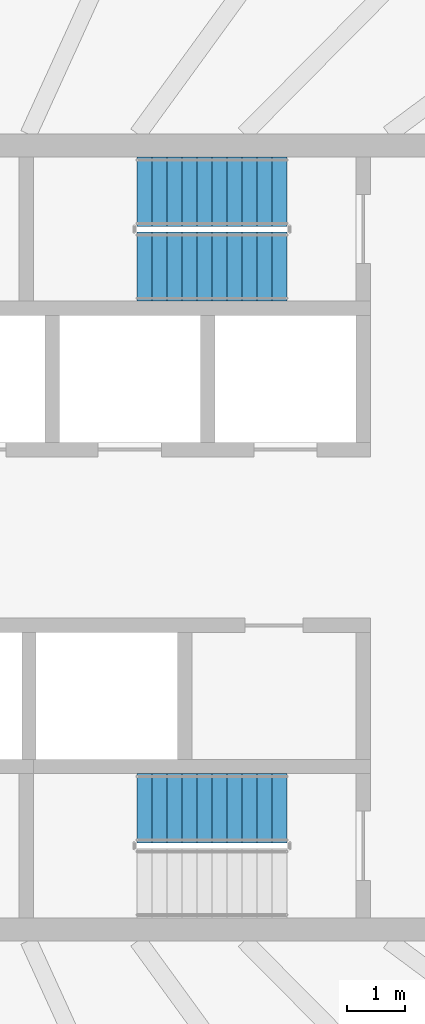
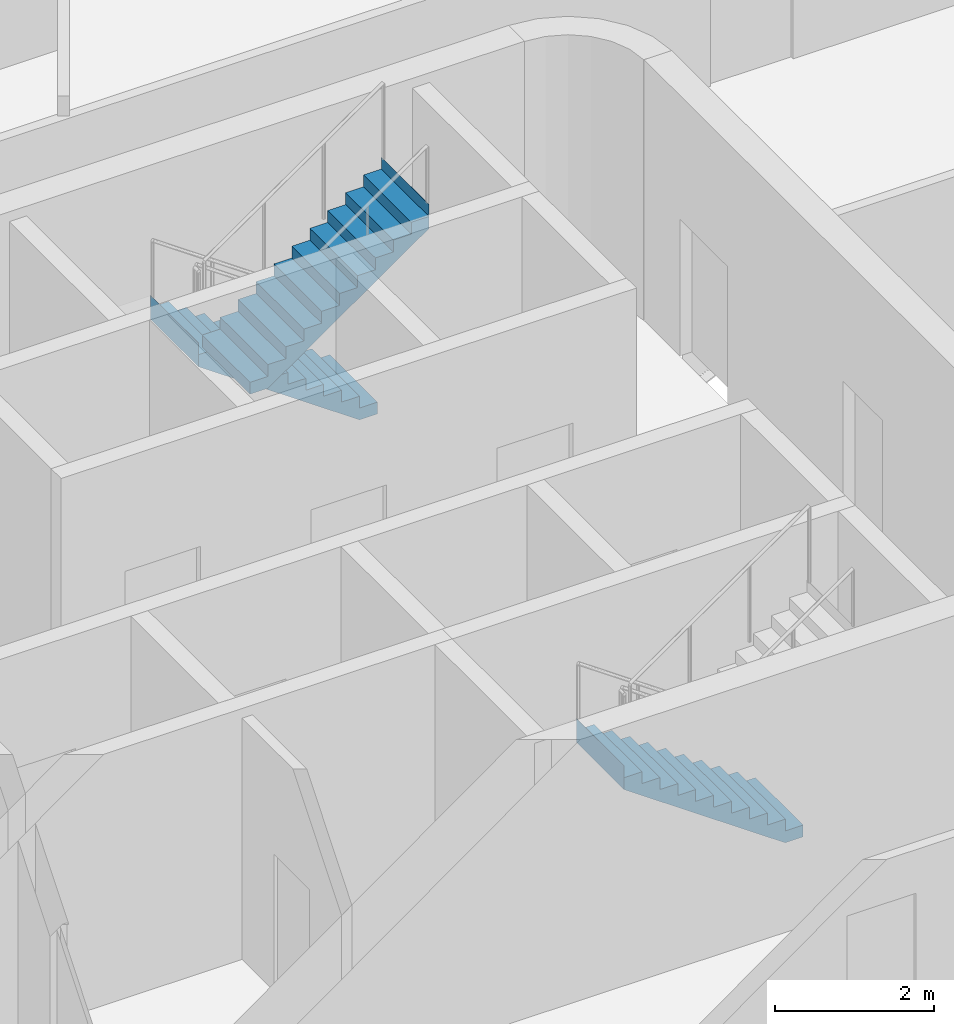
# One storey, part 14 of 20: 3 stair flights, 2 elements without a shape of their own.
"""IFC4 building model written with IfcOpenShell, lengths in metres."""

import ifcopenshell
import ifcopenshell.guid

model = None  # the IFC model being written
_history = None  # IfcOwnerHistory: only IFC2X3 demands one
_inside = {}  # id of a spatial element -> (the spatial element, [elements in it])
_under = {}  # id of a project, library or spatial element -> (it, [spatial elements below it])
_declared = {}  # id of a project -> (the project, [libraries it declares])
_typed = {}  # id of a type object -> (the type object, [elements of that type])
_made_of = {}  # id of a material, layer set ... -> (it, [elements and type objects made of it])


def new_model(schema):
    """Start an empty IFC model of exactly this schema.

    Asked for "IFC4X3", IfcOpenShell would pick the latest addendum, in which some entities
    have other attributes; the version numbers below select the first issue.
    IFC2X3 requires an IfcOwnerHistory on every rooted entity: one is made here for all.
    """
    global model, _history
    if schema == "IFC4X3":
        model = ifcopenshell.file(schema_version=(4, 3, 0, 0))
    else:
        model = ifcopenshell.file(schema=schema)
    _inside.clear()
    _under.clear()
    _declared.clear()
    _typed.clear()
    _made_of.clear()
    _history = None
    if model.schema == "IFC2X3":
        org = make("IfcOrganization", Name="unknown")
        user = make(
            "IfcPersonAndOrganization",
            ThePerson=make("IfcPerson", FamilyName="unknown"),
            TheOrganization=org,
        )
        app = make(
            "IfcApplication",
            ApplicationDeveloper=org,
            Version="unknown",
            ApplicationFullName="unknown",
            ApplicationIdentifier="unknown",
        )
        _history = make(
            "IfcOwnerHistory",
            OwningUser=user,
            OwningApplication=app,
            ChangeAction="ADDED",
            CreationDate=0,
        )
    return model


def make(cls, **values):
    """One entity of the class cls with the attributes given. An attribute that is None is left unset."""
    return model.create_entity(
        cls, **{name: value for name, value in values.items() if value is not None}
    )


def rooted(cls, **values):
    """An entity with a GlobalId (a new one), such as an element, a storey or a relation."""
    return make(cls, GlobalId=ifcopenshell.guid.new(), OwnerHistory=_history, **values)


def si_unit(unit_type, name, prefix=None):
    """IfcSIUnit, for example si_unit("LENGTHUNIT", "METRE", prefix="MILLI")."""
    return make("IfcSIUnit", UnitType=unit_type, Prefix=prefix, Name=name)


def assignment(units):
    """IfcUnitAssignment: the units of a project."""
    return None if units is None else make("IfcUnitAssignment", Units=units)


def point(xyz):
    """IfcCartesianPoint."""
    return None if xyz is None else make("IfcCartesianPoint", Coordinates=xyz)


def direction(xyz):
    """IfcDirection."""
    return None if xyz is None else make("IfcDirection", DirectionRatios=xyz)


def frame(location, z_axis=None, x_axis=None):
    """IfcAxis2Placement3D, a coordinate frame: its origin and axes. An axis left out is left unset."""
    return make(
        "IfcAxis2Placement3D",
        Location=point(location),
        Axis=direction(z_axis),
        RefDirection=direction(x_axis),
    )


def origin():
    """The frame at (0, 0, 0) with its axes left unset."""
    return frame((0.0, 0.0, 0.0))


def place(relative_to, where):
    """IfcLocalPlacement: puts the frame where relative to a parent placement (None: the world)."""
    return make(
        "IfcLocalPlacement", PlacementRelTo=relative_to, RelativePlacement=where
    )


def context(
    kind, dimensions, precision=None, world=None, true_north=None, identifier=None
):
    """IfcGeometricRepresentationContext, for example the 3D "Model" context."""
    return make(
        "IfcGeometricRepresentationContext",
        ContextIdentifier=identifier,
        ContextType=kind,
        CoordinateSpaceDimension=dimensions,
        Precision=precision,
        WorldCoordinateSystem=world,
        TrueNorth=true_north,
    )


def subcontext(parent, identifier, kind, view, scale=None):
    """IfcGeometricRepresentationSubContext, for example "Body" below "Model"."""
    return make(
        "IfcGeometricRepresentationSubContext",
        ContextIdentifier=identifier,
        ContextType=kind,
        ParentContext=parent,
        TargetScale=scale,
        TargetView=view,
    )


def project(units=None, contexts=None):
    """IfcProject with its units and contexts."""
    return rooted(
        "IfcProject",
        Name="project",
        RepresentationContexts=contexts,
        UnitsInContext=assignment(units),
    )


def spatial(cls, under=None, at=None, **own):
    """A site, building, storey or space (cls), placed at a placement, below another one or the project."""
    s = rooted(cls, ObjectPlacement=at, **own)
    if under is not None:
        _under.setdefault(under.id(), (under, []))[1].append(s)
    return s


def point_list(points):
    """IfcCartesianPointList2D or 3D."""
    cls = (
        "IfcCartesianPointList2D" if len(points[0]) == 2 else "IfcCartesianPointList3D"
    )
    return make(cls, CoordList=points)


def triangles(points, corners, closed=None, point_numbers=None):
    """IfcTriangulatedFaceSet: each triangle names its three corners, points numbered from 1."""
    return make(
        "IfcTriangulatedFaceSet",
        Coordinates=point_list(points),
        Closed=closed,
        CoordIndex=corners,
        PnIndex=point_numbers,
    )


def shape(context_of_items, identifier, shape_type, items):
    """IfcShapeRepresentation: the items that make up one representation, for example the "Body"."""
    return make(
        "IfcShapeRepresentation",
        ContextOfItems=context_of_items,
        RepresentationIdentifier=identifier,
        RepresentationType=shape_type,
        Items=items,
    )


def material(Name=None, Category=None):
    """IfcMaterial."""
    return make("IfcMaterial", Name=Name, Category=Category)


def made_of(thing, what):
    """Note that an element or type object is made of a material, layer set ...; save() writes the relation."""
    if what is not None:
        _made_of.setdefault(what.id(), (what, []))[1].append(thing)
    return thing


def type_object(cls, material=None, **own):
    """A type object (cls), such as IfcWallType, which elements share."""
    return made_of(rooted(cls, **own), material)


def element(
    cls,
    number,
    at=None,
    inside=None,
    cuts=None,
    type_object=None,
    material=None,
    context=None,
    identifier="Body",
    shape_type=None,
    held_by="IfcProductDefinitionShape",
    body=None,
    shapes=None,
    **own,
):
    """One element of the class cls, such as IfcWall. Its Tag is "e" and its number.

    at: its placement. inside: the storey or other place that contains it. cuts: it is an
    opening in that element (IfcRelVoidsElement). A single representation is given by context,
    identifier, shape_type and body (its items); several are given by shapes. held_by: the class
    of the entity that holds the representations. save() writes the other relations.
    """
    e = rooted(cls, Tag="e%d" % number, ObjectPlacement=at, **own)
    if body is not None:
        shapes = [shape(context, identifier, shape_type, body)]
    if shapes is not None:
        e.Representation = make(held_by, Representations=shapes)
    if inside is not None:
        _inside.setdefault(inside.id(), (inside, []))[1].append(e)
    if cuts is not None:
        rooted(
            "IfcRelVoidsElement", RelatingBuildingElement=cuts, RelatedOpeningElement=e
        )
    if type_object is not None:
        _typed.setdefault(type_object.id(), (type_object, []))[1].append(e)
    return made_of(e, material)


def aggregate(whole, parts):
    """IfcRelAggregates: a whole, such as a stair, and the parts it consists of."""
    return rooted("IfcRelAggregates", RelatingObject=whole, RelatedObjects=parts)


def save(model, path):
    """Write the relations noted so far, then the file.

    IfcRelAggregates (storeys below a building ...), IfcRelContainedInSpatialStructure (elements
    in a storey), IfcRelDefinesByType, IfcRelAssociatesMaterial and IfcRelDeclares: one each for
    every whole, place, type object, material and project.
    """
    for whole, parts in _under.values():
        aggregate(whole, parts)
    for where, things in _inside.values():
        rooted(
            "IfcRelContainedInSpatialStructure",
            RelatedElements=things,
            RelatingStructure=where,
        )
    for kind, things in _typed.values():
        rooted("IfcRelDefinesByType", RelatedObjects=things, RelatingType=kind)
    for what, things in _made_of.values():
        rooted("IfcRelAssociatesMaterial", RelatedObjects=things, RelatingMaterial=what)
    for by, libraries in _declared.values():
        rooted("IfcRelDeclares", RelatingContext=by, RelatedDefinitions=libraries)
    model.write(path)


model = new_model("IFC4")

# Units and contexts
model_context = context("Model", 3, precision=1e-05, world=origin(), true_north=direction((0.0, 1.0)))
body_context = subcontext(model_context, "Body", "Model", "MODEL_VIEW")
ifc_project = project(units=[si_unit("LENGTHUNIT", "METRE"), si_unit("AREAUNIT", "SQUARE_METRE"), si_unit("VOLUMEUNIT", "CUBIC_METRE"), si_unit("PLANEANGLEUNIT", "RADIAN"), si_unit("MASSUNIT", "GRAM", prefix="KILO")], contexts=[model_context])

# Site, building, storey
site_placement = place(None, origin())
site = spatial("IfcSite", under=ifc_project, at=site_placement, CompositionType="ELEMENT")
building_placement = place(site_placement, origin())
building = spatial("IfcBuilding", under=site, at=building_placement, Name="Sahrelin Media Tower", CompositionType="ELEMENT")
storey_placement = place(building_placement, frame((0.0, 0.0, 237.60009765625)))
storey = spatial("IfcBuildingStorey", under=building, at=storey_placement, Name="L51", CompositionType="ELEMENT", Elevation=237.60009765625)

# Stair, stair flights
ifc_material = material(Name="Concrete C40/50", Category="concrete")
stair_type = type_object("IfcStairType", Name="Exit stair 1200", PredefinedType="HALF_TURN_STAIR", material=ifc_material)
placement = place(storey_placement, origin())
stair_1 = element("IfcStair", 1, at=placement, inside=storey, type_object=stair_type, Name="L51 Exit stair ST3", PredefinedType="HALF_TURN_STAIR")
stair_flight_type = type_object("IfcStairFlightType", Name="Stair flight 1200", PredefinedType="STRAIGHT", material=ifc_material)
stair_flight_1_placement = place(storey_placement, frame((7.675048828125, 6.0, 0.0), z_axis=(0.0, 0.0, 1.0), x_axis=(-1.0, 0.0, 0.0)))
stair_flight_1 = element("IfcStairFlight", 2, at=stair_flight_1_placement, type_object=stair_flight_type, Name="ST3 flight 1", NumberOfRisers=11, NumberOfTreads=10, PredefinedType="STRAIGHT", RiserHeight=0.181818182, TreadLength=0.26, context=body_context, shape_type="Tessellation", body=[
    triangles([(0.261474609375, 0.60009765625, 0.0), (0.261474609375, 0.300048828125, 0.0), (0.261474609375, 0.0, 0.0), (0.261474609375, -0.300048828125, 0.0), (0.261474609375, -0.60009765625, 0.0), (2.60009765625, 0.60009765625, 1.63525390625), (2.60009765625, 0.300048828125, 1.63525390625), (2.60009765625, 0.0, 1.63525390625), (2.60009765625, -0.300048828125, 1.63525390625), (2.60009765625, -0.60009765625, 1.63525390625), (2.60009765625, 0.60009765625, 2.0), (2.60009765625, 0.300048828125, 2.0), (2.60009765625, 0.0, 2.0), (2.60009765625, -0.300048828125, 2.0), (2.60009765625, -0.60009765625, 2.0), (2.597900390625, 0.60009765625, 2.0), (2.597900390625, 0.300048828125, 2.0), (2.597900390625, 0.0, 2.0), (2.597900390625, -0.300048828125, 2.0), (2.597900390625, -0.60009765625, 2.0), (2.597900390625, 0.60009765625, 1.818115234375), (2.597900390625, 0.300048828125, 1.818115234375), (2.597900390625, 0.0, 1.818115234375), (2.597900390625, -0.300048828125, 1.818115234375), (2.597900390625, -0.60009765625, 1.818115234375), (2.340087890625, 0.60009765625, 1.818115234375), (2.340087890625, 0.300048828125, 1.818115234375), (2.340087890625, 0.0, 1.818115234375), (2.340087890625, -0.300048828125, 1.818115234375), (2.340087890625, -0.60009765625, 1.818115234375), (2.340087890625, 0.60009765625, 1.636474609375), (2.340087890625, 0.300048828125, 1.636474609375), (2.340087890625, 0.0, 1.636474609375), (2.340087890625, -0.300048828125, 1.636474609375), (2.340087890625, -0.60009765625, 1.636474609375), (2.080078125, 0.60009765625, 1.636474609375), (2.080078125, 0.300048828125, 1.636474609375), (2.080078125, 0.0, 1.636474609375), (2.080078125, -0.300048828125, 1.636474609375), (2.080078125, -0.60009765625, 1.636474609375), (2.080078125, 0.60009765625, 1.45458984375), (2.080078125, 0.300048828125, 1.45458984375), (2.080078125, 0.0, 1.45458984375), (2.080078125, -0.300048828125, 1.45458984375), (2.080078125, -0.60009765625, 1.45458984375), (1.820068359375, 0.60009765625, 1.45458984375), (1.820068359375, 0.300048828125, 1.45458984375), (1.820068359375, 0.0, 1.45458984375), (1.820068359375, -0.300048828125, 1.45458984375), (1.820068359375, -0.60009765625, 1.45458984375), (1.820068359375, 0.60009765625, 1.272705078125), (1.820068359375, 0.300048828125, 1.272705078125), (1.820068359375, 0.0, 1.272705078125), (1.820068359375, -0.300048828125, 1.272705078125), (1.820068359375, -0.60009765625, 1.272705078125), (1.56005859375, 0.60009765625, 1.272705078125), (1.56005859375, 0.300048828125, 1.272705078125), (1.56005859375, 0.0, 1.272705078125), (1.56005859375, -0.300048828125, 1.272705078125), (1.56005859375, -0.60009765625, 1.272705078125), (1.56005859375, 0.60009765625, 1.0908203125), (1.56005859375, 0.300048828125, 1.0908203125), (1.56005859375, 0.0, 1.0908203125), (1.56005859375, -0.300048828125, 1.0908203125), (1.56005859375, -0.60009765625, 1.0908203125), (1.300048828125, 0.60009765625, 1.0908203125), (1.300048828125, 0.300048828125, 1.0908203125), (1.300048828125, 0.0, 1.0908203125), (1.300048828125, -0.300048828125, 1.0908203125), (1.300048828125, -0.60009765625, 1.0908203125), (1.300048828125, 0.60009765625, 0.9091796875), (1.300048828125, 0.300048828125, 0.9091796875), (1.300048828125, 0.0, 0.9091796875), (1.300048828125, -0.300048828125, 0.9091796875), (1.300048828125, -0.60009765625, 0.9091796875), (1.0400390625, 0.60009765625, 0.9091796875), (1.0400390625, 0.300048828125, 0.9091796875), (1.0400390625, 0.0, 0.9091796875), (1.0400390625, -0.300048828125, 0.9091796875), (1.0400390625, -0.60009765625, 0.9091796875), (1.0400390625, 0.60009765625, 0.727294921875), (1.0400390625, 0.300048828125, 0.727294921875), (1.0400390625, 0.0, 0.727294921875), (1.0400390625, -0.300048828125, 0.727294921875), (1.0400390625, -0.60009765625, 0.727294921875), (0.780029296875, 0.60009765625, 0.727294921875), (0.780029296875, 0.300048828125, 0.727294921875), (0.780029296875, 0.0, 0.727294921875), (0.780029296875, -0.300048828125, 0.727294921875), (0.780029296875, -0.60009765625, 0.727294921875), (0.780029296875, 0.60009765625, 0.54541015625), (0.780029296875, 0.300048828125, 0.54541015625), (0.780029296875, 0.0, 0.54541015625), (0.780029296875, -0.300048828125, 0.54541015625), (0.780029296875, -0.60009765625, 0.54541015625), (0.52001953125, 0.60009765625, 0.54541015625), (0.52001953125, 0.300048828125, 0.54541015625), (0.52001953125, 0.0, 0.54541015625), (0.52001953125, -0.300048828125, 0.54541015625), (0.52001953125, -0.60009765625, 0.54541015625), (0.52001953125, 0.60009765625, 0.363525390625), (0.52001953125, 0.300048828125, 0.363525390625), (0.52001953125, 0.0, 0.363525390625), (0.52001953125, -0.300048828125, 0.363525390625), (0.52001953125, -0.60009765625, 0.363525390625), (0.260009765625, 0.60009765625, 0.363525390625), (0.260009765625, 0.300048828125, 0.363525390625), (0.260009765625, 0.0, 0.363525390625), (0.260009765625, -0.300048828125, 0.363525390625), (0.260009765625, -0.60009765625, 0.363525390625), (0.260009765625, 0.60009765625, 0.181884765625), (0.260009765625, 0.300048828125, 0.181884765625), (0.260009765625, 0.0, 0.181884765625), (0.260009765625, -0.300048828125, 0.181884765625), (0.260009765625, -0.60009765625, 0.181884765625), (0.0, 0.60009765625, 0.181884765625), (0.0, 0.300048828125, 0.181884765625), (0.0, 0.0, 0.181884765625), (0.0, -0.300048828125, 0.181884765625), (0.0, -0.60009765625, 0.181884765625), (0.0, 0.60009765625, 0.0), (0.0, 0.300048828125, 0.0), (0.0, 0.0, 0.0), (0.0, -0.300048828125, 0.0), (0.0, -0.60009765625, 0.0)], [[1, 6, 7], [1, 7, 2], [2, 7, 8], [2, 8, 3], [3, 8, 9], [3, 9, 4], [4, 9, 10], [4, 10, 5], [6, 11, 12], [6, 12, 7], [7, 12, 13], [7, 13, 8], [8, 13, 14], [8, 14, 9], [9, 14, 15], [9, 15, 10], [11, 16, 17], [11, 17, 12], [12, 17, 18], [12, 18, 13], [13, 18, 19], [13, 19, 14], [14, 19, 20], [14, 20, 15], [16, 21, 22], [16, 22, 17], [17, 22, 23], [17, 23, 18], [18, 23, 24], [18, 24, 19], [19, 24, 25], [19, 25, 20], [21, 26, 27], [21, 27, 22], [22, 27, 28], [22, 28, 23], [23, 28, 29], [23, 29, 24], [24, 29, 30], [24, 30, 25], [26, 31, 32], [26, 32, 27], [27, 32, 33], [27, 33, 28], [28, 33, 34], [28, 34, 29], [29, 34, 35], [29, 35, 30], [31, 36, 37], [31, 37, 32], [32, 37, 38], [32, 38, 33], [33, 38, 39], [33, 39, 34], [34, 39, 40], [34, 40, 35], [36, 41, 42], [36, 42, 37], [37, 42, 43], [37, 43, 38], [38, 43, 44], [38, 44, 39], [39, 44, 45], [39, 45, 40], [41, 46, 47], [41, 47, 42], [42, 47, 48], [42, 48, 43], [43, 48, 49], [43, 49, 44], [44, 49, 50], [44, 50, 45], [46, 51, 52], [46, 52, 47], [47, 52, 53], [47, 53, 48], [48, 53, 54], [48, 54, 49], [49, 54, 55], [49, 55, 50], [51, 56, 57], [51, 57, 52], [52, 57, 58], [52, 58, 53], [53, 58, 59], [53, 59, 54], [54, 59, 60], [54, 60, 55], [56, 61, 62], [56, 62, 57], [57, 62, 63], [57, 63, 58], [58, 63, 64], [58, 64, 59], [59, 64, 65], [59, 65, 60], [61, 66, 67], [61, 67, 62], [62, 67, 68], [62, 68, 63], [63, 68, 69], [63, 69, 64], [64, 69, 70], [64, 70, 65], [66, 71, 72], [66, 72, 67], [67, 72, 73], [67, 73, 68], [68, 73, 74], [68, 74, 69], [69, 74, 75], [69, 75, 70], [71, 76, 77], [71, 77, 72], [72, 77, 78], [72, 78, 73], [73, 78, 79], [73, 79, 74], [74, 79, 80], [74, 80, 75], [76, 81, 82], [76, 82, 77], [77, 82, 83], [77, 83, 78], [78, 83, 84], [78, 84, 79], [79, 84, 85], [79, 85, 80], [81, 86, 87], [81, 87, 82], [82, 87, 88], [82, 88, 83], [83, 88, 89], [83, 89, 84], [84, 89, 90], [84, 90, 85], [86, 91, 92], [86, 92, 87], [87, 92, 93], [87, 93, 88], [88, 93, 94], [88, 94, 89], [89, 94, 95], [89, 95, 90], [91, 96, 97], [91, 97, 92], [92, 97, 98], [92, 98, 93], [93, 98, 99], [93, 99, 94], [94, 99, 100], [94, 100, 95], [96, 101, 102], [96, 102, 97], [97, 102, 103], [97, 103, 98], [98, 103, 104], [98, 104, 99], [99, 104, 105], [99, 105, 100], [101, 106, 107], [101, 107, 102], [102, 107, 108], [102, 108, 103], [103, 108, 109], [103, 109, 104], [104, 109, 110], [104, 110, 105], [106, 111, 112], [106, 112, 107], [107, 112, 113], [107, 113, 108], [108, 113, 114], [108, 114, 109], [109, 114, 115], [109, 115, 110], [111, 116, 117], [111, 117, 112], [112, 117, 118], [112, 118, 113], [113, 118, 119], [113, 119, 114], [114, 119, 120], [114, 120, 115], [116, 121, 122], [116, 122, 117], [117, 122, 123], [117, 123, 118], [118, 123, 124], [118, 124, 119], [119, 124, 125], [119, 125, 120], [121, 1, 2], [121, 2, 122], [122, 2, 3], [122, 3, 123], [123, 3, 4], [123, 4, 124], [124, 4, 5], [124, 5, 125], [115, 120, 125], [111, 121, 116], [115, 105, 110], [111, 106, 101], [105, 95, 100], [101, 96, 91], [95, 85, 90], [91, 86, 81], [85, 75, 80], [81, 76, 71], [75, 65, 70], [71, 66, 61], [65, 55, 60], [61, 56, 51], [55, 45, 50], [51, 46, 41], [45, 35, 40], [41, 36, 31], [35, 25, 30], [31, 26, 21], [25, 15, 20], [21, 16, 11], [125, 5, 115], [121, 111, 1], [25, 10, 15], [21, 11, 6], [105, 115, 5], [101, 1, 111], [35, 10, 25], [31, 21, 6], [95, 105, 5], [91, 1, 101], [45, 10, 35], [41, 31, 6], [85, 95, 5], [81, 1, 91], [55, 10, 45], [51, 41, 6], [75, 85, 5], [71, 1, 81], [65, 10, 55], [61, 51, 6], [5, 10, 75], [1, 71, 6], [75, 10, 65], [71, 61, 6]], closed=True),
])
stair_flight_2_placement = place(storey_placement, frame((5.074951171875, 4.699951171875, 2.0), z_axis=(0.0, 0.0, 1.0), x_axis=(1.0, 0.0, 0.0)))
stair_flight_2 = element("IfcStairFlight", 3, at=stair_flight_2_placement, type_object=stair_flight_type, Name="ST3 flight 2", NumberOfRisers=11, NumberOfTreads=10, PredefinedType="STRAIGHT", RiserHeight=0.181818182, TreadLength=0.26, context=body_context, shape_type="Tessellation", body=[
    triangles([(0.261474609375, 0.60009765625, 0.0), (0.261474609375, 0.300048828125, 0.0), (0.261474609375, 0.0, 0.0), (0.261474609375, -0.300048828125, 0.0), (0.261474609375, -0.60009765625, 0.0), (2.60009765625, 0.60009765625, 1.63525390625), (2.60009765625, 0.300048828125, 1.63525390625), (2.60009765625, 0.0, 1.63525390625), (2.60009765625, -0.300048828125, 1.63525390625), (2.60009765625, -0.60009765625, 1.63525390625), (2.60009765625, 0.60009765625, 2.0), (2.60009765625, 0.300048828125, 2.0), (2.60009765625, 0.0, 2.0), (2.60009765625, -0.300048828125, 2.0), (2.60009765625, -0.60009765625, 2.0), (2.597900390625, 0.60009765625, 2.0), (2.597900390625, 0.300048828125, 2.0), (2.597900390625, 0.0, 2.0), (2.597900390625, -0.300048828125, 2.0), (2.597900390625, -0.60009765625, 2.0), (2.597900390625, 0.60009765625, 1.818115234375), (2.597900390625, 0.300048828125, 1.818115234375), (2.597900390625, 0.0, 1.818115234375), (2.597900390625, -0.300048828125, 1.818115234375), (2.597900390625, -0.60009765625, 1.818115234375), (2.340087890625, 0.60009765625, 1.818115234375), (2.340087890625, 0.300048828125, 1.818115234375), (2.340087890625, 0.0, 1.818115234375), (2.340087890625, -0.300048828125, 1.818115234375), (2.340087890625, -0.60009765625, 1.818115234375), (2.340087890625, 0.60009765625, 1.636474609375), (2.340087890625, 0.300048828125, 1.636474609375), (2.340087890625, 0.0, 1.636474609375), (2.340087890625, -0.300048828125, 1.636474609375), (2.340087890625, -0.60009765625, 1.636474609375), (2.080078125, 0.60009765625, 1.636474609375), (2.080078125, 0.300048828125, 1.636474609375), (2.080078125, 0.0, 1.636474609375), (2.080078125, -0.300048828125, 1.636474609375), (2.080078125, -0.60009765625, 1.636474609375), (2.080078125, 0.60009765625, 1.45458984375), (2.080078125, 0.300048828125, 1.45458984375), (2.080078125, 0.0, 1.45458984375), (2.080078125, -0.300048828125, 1.45458984375), (2.080078125, -0.60009765625, 1.45458984375), (1.820068359375, 0.60009765625, 1.45458984375), (1.820068359375, 0.300048828125, 1.45458984375), (1.820068359375, 0.0, 1.45458984375), (1.820068359375, -0.300048828125, 1.45458984375), (1.820068359375, -0.60009765625, 1.45458984375), (1.820068359375, 0.60009765625, 1.272705078125), (1.820068359375, 0.300048828125, 1.272705078125), (1.820068359375, 0.0, 1.272705078125), (1.820068359375, -0.300048828125, 1.272705078125), (1.820068359375, -0.60009765625, 1.272705078125), (1.56005859375, 0.60009765625, 1.272705078125), (1.56005859375, 0.300048828125, 1.272705078125), (1.56005859375, 0.0, 1.272705078125), (1.56005859375, -0.300048828125, 1.272705078125), (1.56005859375, -0.60009765625, 1.272705078125), (1.56005859375, 0.60009765625, 1.0908203125), (1.56005859375, 0.300048828125, 1.0908203125), (1.56005859375, 0.0, 1.0908203125), (1.56005859375, -0.300048828125, 1.0908203125), (1.56005859375, -0.60009765625, 1.0908203125), (1.300048828125, 0.60009765625, 1.0908203125), (1.300048828125, 0.300048828125, 1.0908203125), (1.300048828125, 0.0, 1.0908203125), (1.300048828125, -0.300048828125, 1.0908203125), (1.300048828125, -0.60009765625, 1.0908203125), (1.300048828125, 0.60009765625, 0.9091796875), (1.300048828125, 0.300048828125, 0.9091796875), (1.300048828125, 0.0, 0.9091796875), (1.300048828125, -0.300048828125, 0.9091796875), (1.300048828125, -0.60009765625, 0.9091796875), (1.0400390625, 0.60009765625, 0.9091796875), (1.0400390625, 0.300048828125, 0.9091796875), (1.0400390625, 0.0, 0.9091796875), (1.0400390625, -0.300048828125, 0.9091796875), (1.0400390625, -0.60009765625, 0.9091796875), (1.0400390625, 0.60009765625, 0.727294921875), (1.0400390625, 0.300048828125, 0.727294921875), (1.0400390625, 0.0, 0.727294921875), (1.0400390625, -0.300048828125, 0.727294921875), (1.0400390625, -0.60009765625, 0.727294921875), (0.780029296875, 0.60009765625, 0.727294921875), (0.780029296875, 0.300048828125, 0.727294921875), (0.780029296875, 0.0, 0.727294921875), (0.780029296875, -0.300048828125, 0.727294921875), (0.780029296875, -0.60009765625, 0.727294921875), (0.780029296875, 0.60009765625, 0.54541015625), (0.780029296875, 0.300048828125, 0.54541015625), (0.780029296875, 0.0, 0.54541015625), (0.780029296875, -0.300048828125, 0.54541015625), (0.780029296875, -0.60009765625, 0.54541015625), (0.52001953125, 0.60009765625, 0.54541015625), (0.52001953125, 0.300048828125, 0.54541015625), (0.52001953125, 0.0, 0.54541015625), (0.52001953125, -0.300048828125, 0.54541015625), (0.52001953125, -0.60009765625, 0.54541015625), (0.52001953125, 0.60009765625, 0.363525390625), (0.52001953125, 0.300048828125, 0.363525390625), (0.52001953125, 0.0, 0.363525390625), (0.52001953125, -0.300048828125, 0.363525390625), (0.52001953125, -0.60009765625, 0.363525390625), (0.260009765625, 0.60009765625, 0.363525390625), (0.260009765625, 0.300048828125, 0.363525390625), (0.260009765625, 0.0, 0.363525390625), (0.260009765625, -0.300048828125, 0.363525390625), (0.260009765625, -0.60009765625, 0.363525390625), (0.260009765625, 0.60009765625, 0.181884765625), (0.260009765625, 0.300048828125, 0.181884765625), (0.260009765625, 0.0, 0.181884765625), (0.260009765625, -0.300048828125, 0.181884765625), (0.260009765625, -0.60009765625, 0.181884765625), (0.0, 0.60009765625, 0.181884765625), (0.0, 0.300048828125, 0.181884765625), (0.0, 0.0, 0.181884765625), (0.0, -0.300048828125, 0.181884765625), (0.0, -0.60009765625, 0.181884765625), (0.0, 0.60009765625, 0.0), (0.0, 0.300048828125, 0.0), (0.0, 0.0, 0.0), (0.0, -0.300048828125, 0.0), (0.0, -0.60009765625, 0.0)], [[1, 6, 7], [1, 7, 2], [2, 7, 8], [2, 8, 3], [3, 8, 9], [3, 9, 4], [4, 9, 10], [4, 10, 5], [6, 11, 12], [6, 12, 7], [7, 12, 13], [7, 13, 8], [8, 13, 14], [8, 14, 9], [9, 14, 15], [9, 15, 10], [11, 16, 17], [11, 17, 12], [12, 17, 18], [12, 18, 13], [13, 18, 19], [13, 19, 14], [14, 19, 20], [14, 20, 15], [16, 21, 22], [16, 22, 17], [17, 22, 23], [17, 23, 18], [18, 23, 24], [18, 24, 19], [19, 24, 25], [19, 25, 20], [21, 26, 27], [21, 27, 22], [22, 27, 28], [22, 28, 23], [23, 28, 29], [23, 29, 24], [24, 29, 30], [24, 30, 25], [26, 31, 32], [26, 32, 27], [27, 32, 33], [27, 33, 28], [28, 33, 34], [28, 34, 29], [29, 34, 35], [29, 35, 30], [31, 36, 37], [31, 37, 32], [32, 37, 38], [32, 38, 33], [33, 38, 39], [33, 39, 34], [34, 39, 40], [34, 40, 35], [36, 41, 42], [36, 42, 37], [37, 42, 43], [37, 43, 38], [38, 43, 44], [38, 44, 39], [39, 44, 45], [39, 45, 40], [41, 46, 47], [41, 47, 42], [42, 47, 48], [42, 48, 43], [43, 48, 49], [43, 49, 44], [44, 49, 50], [44, 50, 45], [46, 51, 52], [46, 52, 47], [47, 52, 53], [47, 53, 48], [48, 53, 54], [48, 54, 49], [49, 54, 55], [49, 55, 50], [51, 56, 57], [51, 57, 52], [52, 57, 58], [52, 58, 53], [53, 58, 59], [53, 59, 54], [54, 59, 60], [54, 60, 55], [56, 61, 62], [56, 62, 57], [57, 62, 63], [57, 63, 58], [58, 63, 64], [58, 64, 59], [59, 64, 65], [59, 65, 60], [61, 66, 67], [61, 67, 62], [62, 67, 68], [62, 68, 63], [63, 68, 69], [63, 69, 64], [64, 69, 70], [64, 70, 65], [66, 71, 72], [66, 72, 67], [67, 72, 73], [67, 73, 68], [68, 73, 74], [68, 74, 69], [69, 74, 75], [69, 75, 70], [71, 76, 77], [71, 77, 72], [72, 77, 78], [72, 78, 73], [73, 78, 79], [73, 79, 74], [74, 79, 80], [74, 80, 75], [76, 81, 82], [76, 82, 77], [77, 82, 83], [77, 83, 78], [78, 83, 84], [78, 84, 79], [79, 84, 85], [79, 85, 80], [81, 86, 87], [81, 87, 82], [82, 87, 88], [82, 88, 83], [83, 88, 89], [83, 89, 84], [84, 89, 90], [84, 90, 85], [86, 91, 92], [86, 92, 87], [87, 92, 93], [87, 93, 88], [88, 93, 94], [88, 94, 89], [89, 94, 95], [89, 95, 90], [91, 96, 97], [91, 97, 92], [92, 97, 98], [92, 98, 93], [93, 98, 99], [93, 99, 94], [94, 99, 100], [94, 100, 95], [96, 101, 102], [96, 102, 97], [97, 102, 103], [97, 103, 98], [98, 103, 104], [98, 104, 99], [99, 104, 105], [99, 105, 100], [101, 106, 107], [101, 107, 102], [102, 107, 108], [102, 108, 103], [103, 108, 109], [103, 109, 104], [104, 109, 110], [104, 110, 105], [106, 111, 112], [106, 112, 107], [107, 112, 113], [107, 113, 108], [108, 113, 114], [108, 114, 109], [109, 114, 115], [109, 115, 110], [111, 116, 117], [111, 117, 112], [112, 117, 118], [112, 118, 113], [113, 118, 119], [113, 119, 114], [114, 119, 120], [114, 120, 115], [116, 121, 122], [116, 122, 117], [117, 122, 123], [117, 123, 118], [118, 123, 124], [118, 124, 119], [119, 124, 125], [119, 125, 120], [121, 1, 2], [121, 2, 122], [122, 2, 3], [122, 3, 123], [123, 3, 4], [123, 4, 124], [124, 4, 5], [124, 5, 125], [115, 120, 125], [111, 121, 116], [115, 105, 110], [111, 106, 101], [105, 95, 100], [101, 96, 91], [95, 85, 90], [91, 86, 81], [85, 75, 80], [81, 76, 71], [75, 65, 70], [71, 66, 61], [65, 55, 60], [61, 56, 51], [55, 45, 50], [51, 46, 41], [45, 35, 40], [41, 36, 31], [35, 25, 30], [31, 26, 21], [25, 15, 20], [21, 16, 11], [125, 5, 115], [121, 111, 1], [25, 10, 15], [21, 11, 6], [105, 115, 5], [101, 1, 111], [35, 10, 25], [31, 21, 6], [95, 105, 5], [91, 1, 101], [45, 10, 35], [41, 31, 6], [85, 95, 5], [81, 1, 91], [55, 10, 45], [51, 41, 6], [75, 85, 5], [71, 1, 81], [65, 10, 55], [61, 51, 6], [5, 10, 75], [1, 71, 6], [75, 10, 65], [71, 61, 6]], closed=True),
])
aggregate(stair_1, [stair_flight_1, stair_flight_2])

# Stair, stair flight
stair_2 = element("IfcStair", 4, at=placement, inside=storey, type_object=stair_type, Name="L51 Exit stair ST2", PredefinedType="HALF_TURN_STAIR")
stair_flight_3_placement = place(storey_placement, frame((7.675048828125, -4.699951171875, 0.0), z_axis=(0.0, 0.0, 1.0), x_axis=(-1.0, 0.0, 0.0)))
stair_flight_3 = element("IfcStairFlight", 5, at=stair_flight_3_placement, type_object=stair_flight_type, Name="ST2 flight 1", NumberOfRisers=11, NumberOfTreads=10, PredefinedType="STRAIGHT", RiserHeight=0.181818182, TreadLength=0.26, context=body_context, shape_type="Tessellation", body=[
    triangles([(0.261474609375, 0.60009765625, 0.0), (0.261474609375, 0.300048828125, 0.0), (0.261474609375, 0.0, 0.0), (0.261474609375, -0.300048828125, 0.0), (0.261474609375, -0.60009765625, 0.0), (2.60009765625, 0.60009765625, 1.63525390625), (2.60009765625, 0.300048828125, 1.63525390625), (2.60009765625, 0.0, 1.63525390625), (2.60009765625, -0.300048828125, 1.63525390625), (2.60009765625, -0.60009765625, 1.63525390625), (2.60009765625, 0.60009765625, 2.0), (2.60009765625, 0.300048828125, 2.0), (2.60009765625, 0.0, 2.0), (2.60009765625, -0.300048828125, 2.0), (2.60009765625, -0.60009765625, 2.0), (2.597900390625, 0.60009765625, 2.0), (2.597900390625, 0.300048828125, 2.0), (2.597900390625, 0.0, 2.0), (2.597900390625, -0.300048828125, 2.0), (2.597900390625, -0.60009765625, 2.0), (2.597900390625, 0.60009765625, 1.818115234375), (2.597900390625, 0.300048828125, 1.818115234375), (2.597900390625, 0.0, 1.818115234375), (2.597900390625, -0.300048828125, 1.818115234375), (2.597900390625, -0.60009765625, 1.818115234375), (2.340087890625, 0.60009765625, 1.818115234375), (2.340087890625, 0.300048828125, 1.818115234375), (2.340087890625, 0.0, 1.818115234375), (2.340087890625, -0.300048828125, 1.818115234375), (2.340087890625, -0.60009765625, 1.818115234375), (2.340087890625, 0.60009765625, 1.636474609375), (2.340087890625, 0.300048828125, 1.636474609375), (2.340087890625, 0.0, 1.636474609375), (2.340087890625, -0.300048828125, 1.636474609375), (2.340087890625, -0.60009765625, 1.636474609375), (2.080078125, 0.60009765625, 1.636474609375), (2.080078125, 0.300048828125, 1.636474609375), (2.080078125, 0.0, 1.636474609375), (2.080078125, -0.300048828125, 1.636474609375), (2.080078125, -0.60009765625, 1.636474609375), (2.080078125, 0.60009765625, 1.45458984375), (2.080078125, 0.300048828125, 1.45458984375), (2.080078125, 0.0, 1.45458984375), (2.080078125, -0.300048828125, 1.45458984375), (2.080078125, -0.60009765625, 1.45458984375), (1.820068359375, 0.60009765625, 1.45458984375), (1.820068359375, 0.300048828125, 1.45458984375), (1.820068359375, 0.0, 1.45458984375), (1.820068359375, -0.300048828125, 1.45458984375), (1.820068359375, -0.60009765625, 1.45458984375), (1.820068359375, 0.60009765625, 1.272705078125), (1.820068359375, 0.300048828125, 1.272705078125), (1.820068359375, 0.0, 1.272705078125), (1.820068359375, -0.300048828125, 1.272705078125), (1.820068359375, -0.60009765625, 1.272705078125), (1.56005859375, 0.60009765625, 1.272705078125), (1.56005859375, 0.300048828125, 1.272705078125), (1.56005859375, 0.0, 1.272705078125), (1.56005859375, -0.300048828125, 1.272705078125), (1.56005859375, -0.60009765625, 1.272705078125), (1.56005859375, 0.60009765625, 1.0908203125), (1.56005859375, 0.300048828125, 1.0908203125), (1.56005859375, 0.0, 1.0908203125), (1.56005859375, -0.300048828125, 1.0908203125), (1.56005859375, -0.60009765625, 1.0908203125), (1.300048828125, 0.60009765625, 1.0908203125), (1.300048828125, 0.300048828125, 1.0908203125), (1.300048828125, 0.0, 1.0908203125), (1.300048828125, -0.300048828125, 1.0908203125), (1.300048828125, -0.60009765625, 1.0908203125), (1.300048828125, 0.60009765625, 0.9091796875), (1.300048828125, 0.300048828125, 0.9091796875), (1.300048828125, 0.0, 0.9091796875), (1.300048828125, -0.300048828125, 0.9091796875), (1.300048828125, -0.60009765625, 0.9091796875), (1.0400390625, 0.60009765625, 0.9091796875), (1.0400390625, 0.300048828125, 0.9091796875), (1.0400390625, 0.0, 0.9091796875), (1.0400390625, -0.300048828125, 0.9091796875), (1.0400390625, -0.60009765625, 0.9091796875), (1.0400390625, 0.60009765625, 0.727294921875), (1.0400390625, 0.300048828125, 0.727294921875), (1.0400390625, 0.0, 0.727294921875), (1.0400390625, -0.300048828125, 0.727294921875), (1.0400390625, -0.60009765625, 0.727294921875), (0.780029296875, 0.60009765625, 0.727294921875), (0.780029296875, 0.300048828125, 0.727294921875), (0.780029296875, 0.0, 0.727294921875), (0.780029296875, -0.300048828125, 0.727294921875), (0.780029296875, -0.60009765625, 0.727294921875), (0.780029296875, 0.60009765625, 0.54541015625), (0.780029296875, 0.300048828125, 0.54541015625), (0.780029296875, 0.0, 0.54541015625), (0.780029296875, -0.300048828125, 0.54541015625), (0.780029296875, -0.60009765625, 0.54541015625), (0.52001953125, 0.60009765625, 0.54541015625), (0.52001953125, 0.300048828125, 0.54541015625), (0.52001953125, 0.0, 0.54541015625), (0.52001953125, -0.300048828125, 0.54541015625), (0.52001953125, -0.60009765625, 0.54541015625), (0.52001953125, 0.60009765625, 0.363525390625), (0.52001953125, 0.300048828125, 0.363525390625), (0.52001953125, 0.0, 0.363525390625), (0.52001953125, -0.300048828125, 0.363525390625), (0.52001953125, -0.60009765625, 0.363525390625), (0.260009765625, 0.60009765625, 0.363525390625), (0.260009765625, 0.300048828125, 0.363525390625), (0.260009765625, 0.0, 0.363525390625), (0.260009765625, -0.300048828125, 0.363525390625), (0.260009765625, -0.60009765625, 0.363525390625), (0.260009765625, 0.60009765625, 0.181884765625), (0.260009765625, 0.300048828125, 0.181884765625), (0.260009765625, 0.0, 0.181884765625), (0.260009765625, -0.300048828125, 0.181884765625), (0.260009765625, -0.60009765625, 0.181884765625), (0.0, 0.60009765625, 0.181884765625), (0.0, 0.300048828125, 0.181884765625), (0.0, 0.0, 0.181884765625), (0.0, -0.300048828125, 0.181884765625), (0.0, -0.60009765625, 0.181884765625), (0.0, 0.60009765625, 0.0), (0.0, 0.300048828125, 0.0), (0.0, 0.0, 0.0), (0.0, -0.300048828125, 0.0), (0.0, -0.60009765625, 0.0)], [[1, 6, 7], [1, 7, 2], [2, 7, 8], [2, 8, 3], [3, 8, 9], [3, 9, 4], [4, 9, 10], [4, 10, 5], [6, 11, 12], [6, 12, 7], [7, 12, 13], [7, 13, 8], [8, 13, 14], [8, 14, 9], [9, 14, 15], [9, 15, 10], [11, 16, 17], [11, 17, 12], [12, 17, 18], [12, 18, 13], [13, 18, 19], [13, 19, 14], [14, 19, 20], [14, 20, 15], [16, 21, 22], [16, 22, 17], [17, 22, 23], [17, 23, 18], [18, 23, 24], [18, 24, 19], [19, 24, 25], [19, 25, 20], [21, 26, 27], [21, 27, 22], [22, 27, 28], [22, 28, 23], [23, 28, 29], [23, 29, 24], [24, 29, 30], [24, 30, 25], [26, 31, 32], [26, 32, 27], [27, 32, 33], [27, 33, 28], [28, 33, 34], [28, 34, 29], [29, 34, 35], [29, 35, 30], [31, 36, 37], [31, 37, 32], [32, 37, 38], [32, 38, 33], [33, 38, 39], [33, 39, 34], [34, 39, 40], [34, 40, 35], [36, 41, 42], [36, 42, 37], [37, 42, 43], [37, 43, 38], [38, 43, 44], [38, 44, 39], [39, 44, 45], [39, 45, 40], [41, 46, 47], [41, 47, 42], [42, 47, 48], [42, 48, 43], [43, 48, 49], [43, 49, 44], [44, 49, 50], [44, 50, 45], [46, 51, 52], [46, 52, 47], [47, 52, 53], [47, 53, 48], [48, 53, 54], [48, 54, 49], [49, 54, 55], [49, 55, 50], [51, 56, 57], [51, 57, 52], [52, 57, 58], [52, 58, 53], [53, 58, 59], [53, 59, 54], [54, 59, 60], [54, 60, 55], [56, 61, 62], [56, 62, 57], [57, 62, 63], [57, 63, 58], [58, 63, 64], [58, 64, 59], [59, 64, 65], [59, 65, 60], [61, 66, 67], [61, 67, 62], [62, 67, 68], [62, 68, 63], [63, 68, 69], [63, 69, 64], [64, 69, 70], [64, 70, 65], [66, 71, 72], [66, 72, 67], [67, 72, 73], [67, 73, 68], [68, 73, 74], [68, 74, 69], [69, 74, 75], [69, 75, 70], [71, 76, 77], [71, 77, 72], [72, 77, 78], [72, 78, 73], [73, 78, 79], [73, 79, 74], [74, 79, 80], [74, 80, 75], [76, 81, 82], [76, 82, 77], [77, 82, 83], [77, 83, 78], [78, 83, 84], [78, 84, 79], [79, 84, 85], [79, 85, 80], [81, 86, 87], [81, 87, 82], [82, 87, 88], [82, 88, 83], [83, 88, 89], [83, 89, 84], [84, 89, 90], [84, 90, 85], [86, 91, 92], [86, 92, 87], [87, 92, 93], [87, 93, 88], [88, 93, 94], [88, 94, 89], [89, 94, 95], [89, 95, 90], [91, 96, 97], [91, 97, 92], [92, 97, 98], [92, 98, 93], [93, 98, 99], [93, 99, 94], [94, 99, 100], [94, 100, 95], [96, 101, 102], [96, 102, 97], [97, 102, 103], [97, 103, 98], [98, 103, 104], [98, 104, 99], [99, 104, 105], [99, 105, 100], [101, 106, 107], [101, 107, 102], [102, 107, 108], [102, 108, 103], [103, 108, 109], [103, 109, 104], [104, 109, 110], [104, 110, 105], [106, 111, 112], [106, 112, 107], [107, 112, 113], [107, 113, 108], [108, 113, 114], [108, 114, 109], [109, 114, 115], [109, 115, 110], [111, 116, 117], [111, 117, 112], [112, 117, 118], [112, 118, 113], [113, 118, 119], [113, 119, 114], [114, 119, 120], [114, 120, 115], [116, 121, 122], [116, 122, 117], [117, 122, 123], [117, 123, 118], [118, 123, 124], [118, 124, 119], [119, 124, 125], [119, 125, 120], [121, 1, 2], [121, 2, 122], [122, 2, 3], [122, 3, 123], [123, 3, 4], [123, 4, 124], [124, 4, 5], [124, 5, 125], [115, 120, 125], [111, 121, 116], [115, 105, 110], [111, 106, 101], [105, 95, 100], [101, 96, 91], [95, 85, 90], [91, 86, 81], [85, 75, 80], [81, 76, 71], [75, 65, 70], [71, 66, 61], [65, 55, 60], [61, 56, 51], [55, 45, 50], [51, 46, 41], [45, 35, 40], [41, 36, 31], [35, 25, 30], [31, 26, 21], [25, 15, 20], [21, 16, 11], [125, 5, 115], [121, 111, 1], [25, 10, 15], [21, 11, 6], [105, 115, 5], [101, 1, 111], [35, 10, 25], [31, 21, 6], [95, 105, 5], [91, 1, 101], [45, 10, 35], [41, 31, 6], [85, 95, 5], [81, 1, 91], [55, 10, 45], [51, 41, 6], [75, 85, 5], [71, 1, 81], [65, 10, 55], [61, 51, 6], [5, 10, 75], [1, 71, 6], [75, 10, 65], [71, 61, 6]], closed=True),
])
aggregate(stair_2, [stair_flight_3])

save(model, "model.ifc")
